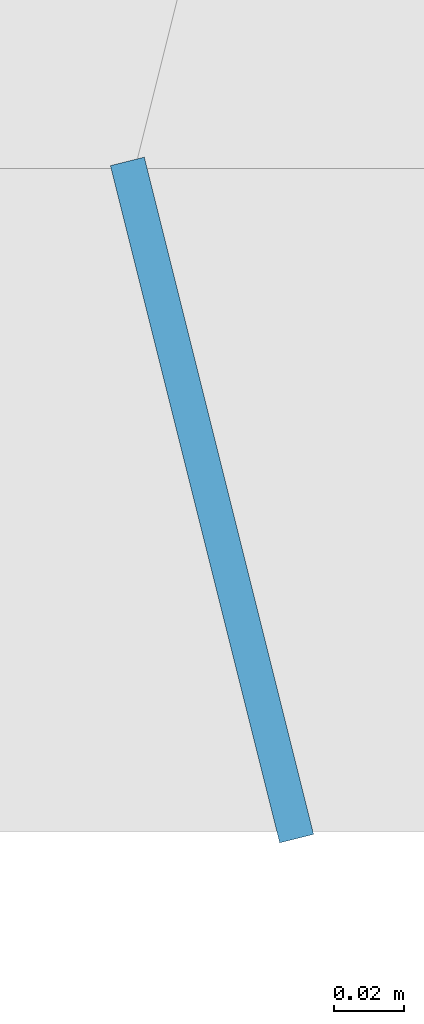
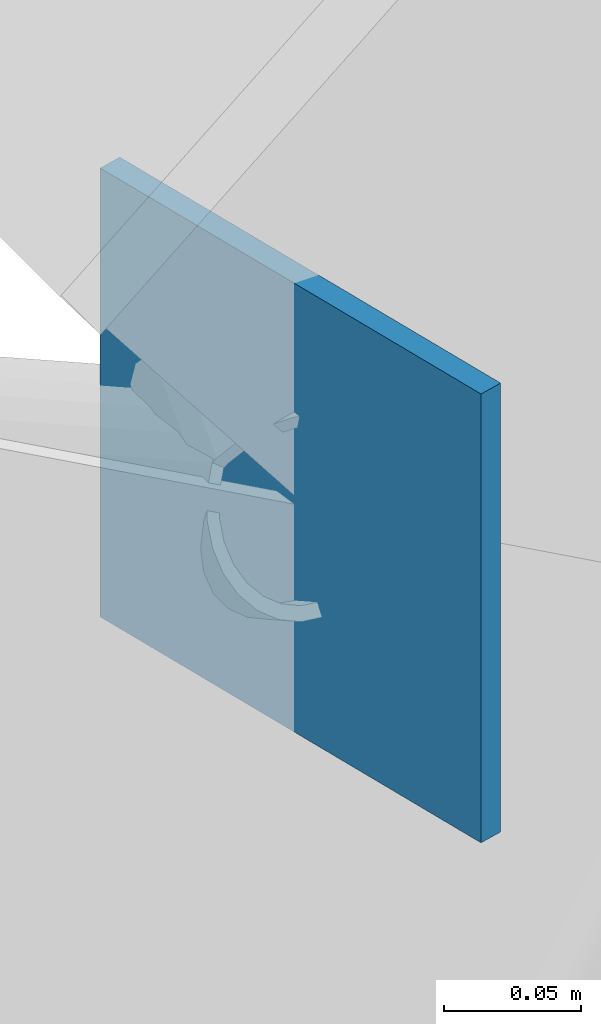
# One storey, part 52 of 62: 1 discrete accessory.
"""IFC4 building model written with IfcOpenShell, lengths in metres."""

from ifc_helpers import new_model, si_unit, direction, frame, origin, origin_2d, place, context, subcontext, project, spatial, rectangle, extrude, material, type_object, element, save


model = new_model("IFC4")

# Units and contexts
model_context = context("Model", 3, precision=1e-05, world=origin(), true_north=direction((0.0, 1.0)))
body_context = subcontext(model_context, "Body", "Model", "MODEL_VIEW")
ifc_project = project(units=[si_unit("LENGTHUNIT", "METRE"), si_unit("AREAUNIT", "SQUARE_METRE"), si_unit("VOLUMEUNIT", "CUBIC_METRE"), si_unit("PLANEANGLEUNIT", "RADIAN"), si_unit("MASSUNIT", "GRAM", prefix="KILO")], contexts=[model_context])

# Site, building, storey
site_placement = place(None, origin())
site = spatial("IfcSite", under=ifc_project, at=site_placement, CompositionType="ELEMENT")
building_placement = place(site_placement, origin())
building = spatial("IfcBuilding", under=site, at=building_placement, Name="Hortulan Conservatory and Botanical Research Centre", CompositionType="ELEMENT")
storey_placement = place(building_placement, frame((0.0, 0.0, 15.0)))
storey = spatial("IfcBuildingStorey", under=building, at=storey_placement, Name="L03", CompositionType="ELEMENT", Elevation=15.0)

# Discrete accessory
ifc_material = material(Name="Steel Grade 300 plate (AS/NZS 3678, 280 MPa minimum yield)", Category="steel")
discrete_accessory_type = type_object("IfcDiscreteAccessoryType", Name="End Plate 200x10", PredefinedType="BRACKET", material=ifc_material)
discrete_accessory_placement = place(storey_placement, frame((92.25, 63.0, 2.9912109375), z_axis=(0.0, 0.0, 1.0), x_axis=(0.242531502591, -0.970143530747, 0.0)))
element("IfcDiscreteAccessory", 1, at=discrete_accessory_placement, inside=storey, type_object=discrete_accessory_type, Name="Brace end plate", PredefinedType="BRACKET", context=body_context, shape_type="SweptSolid", body=[
    extrude(rectangle(XDim=0.199951171875, YDim=0.010009765625, at=origin_2d()), origin(), (0.0, 0.0, 1.0), 0.199951171875),
])

save(model, "model.ifc")
